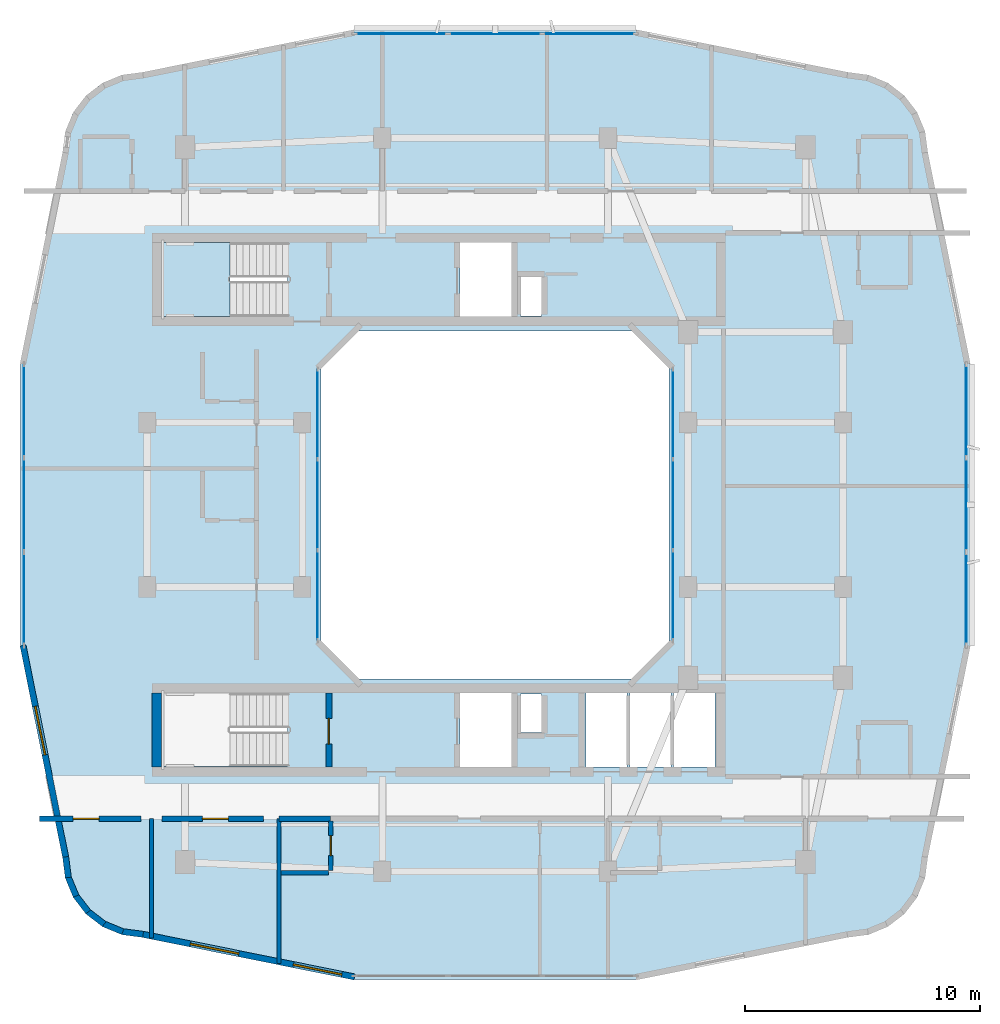
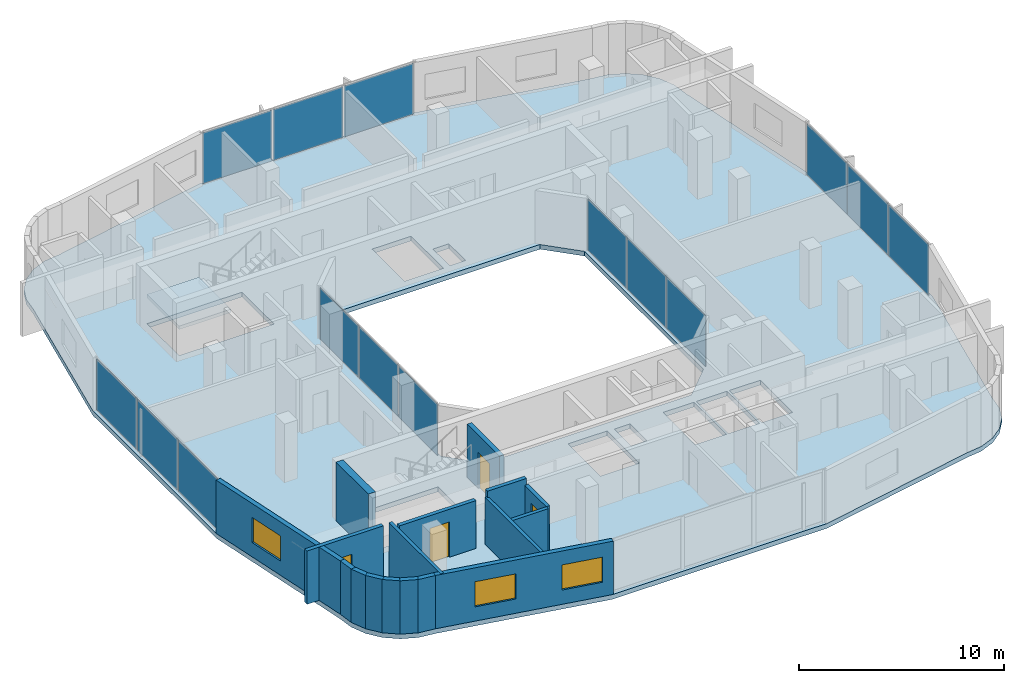
# One storey, part 6 of 14: 17 walls, 15 plates, 4 doors, 3 windows, 2 slabs, 7 openings, 6 elements without a shape of their own.
"""IFC4 building model written with IfcOpenShell, lengths in metres."""

from ifc_helpers import new_model, si_unit, derived_unit, direction, frame, frame_2d, origin, origin_2d, place, context, subcontext, project, spatial, polyline, rectangle, outline, extrude, material, layer, layer_set, type_object, element, fill, aggregate, save


model = new_model("IFC4")

# Units and contexts
model_context = context("Model", 3, precision=1e-05, world=origin(), true_north=direction((0.0, 1.0)))
body_context = subcontext(model_context, "Body", "Model", "MODEL_VIEW")
ifc_project = project(units=[si_unit("LENGTHUNIT", "METRE"), si_unit("AREAUNIT", "SQUARE_METRE"), si_unit("VOLUMEUNIT", "CUBIC_METRE"), si_unit("PLANEANGLEUNIT", "RADIAN"), si_unit("MASSUNIT", "GRAM", prefix="KILO"), derived_unit("THERMALTRANSMITTANCEUNIT", [(si_unit("POWERUNIT", "WATT"), 1), (si_unit("LENGTHUNIT", "METRE"), -2), (si_unit("THERMODYNAMICTEMPERATUREUNIT", "KELVIN"), -1)])], contexts=[model_context])

# Site, building, storey
site_placement = place(None, origin())
site = spatial("IfcSite", under=ifc_project, at=site_placement, CompositionType="ELEMENT")
building_placement = place(site_placement, origin())
building = spatial("IfcBuilding", under=site, at=building_placement, Name="Kivonza Crest Hotel", CompositionType="ELEMENT")
storey_placement = place(building_placement, frame((0.0, 0.0, 169.5)))
storey = spatial("IfcBuildingStorey", under=building, at=storey_placement, Name="L46", CompositionType="ELEMENT", Elevation=169.5)

# Curtain wall, plates
ifc_material_1 = material(Name="Anodised bronze aluminium and low-E double glazing", Category="aluminium")
ifc_layer_1 = layer(ifc_material_1, 0.159912109375)
ifc_layer_set_1 = layer_set([ifc_layer_1], Name="Anodised bronze aluminium and low-E double glazing")
curtain_wall_type_1 = type_object("IfcCurtainWallType", Name="CW-SYS-5", PredefinedType="NOTDEFINED", material=ifc_layer_set_1)
curtain_wall_1_placement = place(storey_placement, origin())
curtain_wall_1 = element("IfcCurtainWall", 1, at=curtain_wall_1_placement, inside=storey, type_object=curtain_wall_type_1, Name="L46 unitised curtain wall CW-WELL-T1-L46-3", PredefinedType="NOTDEFINED")
ifc_material_2 = material(Name="Solar-control low-E double glazing", Category="glass")
ifc_layer_2 = layer(ifc_material_2, 0.028076171875)
ifc_layer_set_2 = layer_set([ifc_layer_2], Name="Solar-control low-E double glazing")
plate_type_1 = type_object("IfcPlateType", Name="CW-PNL-28", PredefinedType="CURTAIN_PANEL", material=ifc_layer_set_2)
plate_1_placement = place(storey_placement, frame((28.56005859375, 21.149658203125, 0.06494140625), z_axis=(0.0, 0.0, 1.0), x_axis=(0.0, 1.0, 0.0)))
plate_1 = element("IfcPlate", 2, at=plate_1_placement, type_object=plate_type_1, Name="CW-5 panel 1.1", PredefinedType="CURTAIN_PANEL", context=body_context, shape_type="SweptSolid", body=[
    extrude(rectangle(XDim=3.769287109375, YDim=0.028076171875, at=origin_2d()), origin(), (0.0, 0.0, 1.0), 3.050048828125),
])
plate_2_placement = place(storey_placement, frame((28.56005859375, 25.0, 0.06494140625), z_axis=(0.0, 0.0, 1.0), x_axis=(0.0, 1.0, 0.0)))
plate_2 = element("IfcPlate", 3, at=plate_2_placement, type_object=plate_type_1, Name="CW-5 panel 2.1", PredefinedType="CURTAIN_PANEL", context=body_context, shape_type="SweptSolid", body=[
    extrude(rectangle(XDim=3.8017578125, YDim=0.028076171875, at=origin_2d()), origin(), (0.0, 0.0, 1.0), 3.050048828125),
])
plate_3_placement = place(storey_placement, frame((28.56005859375, 28.850341796875, 0.06494140625), z_axis=(0.0, 0.0, 1.0), x_axis=(0.0, 1.0, 0.0)))
plate_3 = element("IfcPlate", 4, at=plate_3_placement, type_object=plate_type_1, Name="CW-5 panel 3.1", PredefinedType="CURTAIN_PANEL", context=body_context, shape_type="SweptSolid", body=[
    extrude(rectangle(XDim=3.769287109375, YDim=0.028076171875, at=origin_2d()), origin(), (0.0, 0.0, 1.0), 3.050048828125),
])
aggregate(curtain_wall_1, [plate_1, plate_2, plate_3])

curtain_wall_2_placement = place(storey_placement, origin())
curtain_wall_2 = element("IfcCurtainWall", 5, at=curtain_wall_2_placement, inside=storey, type_object=curtain_wall_type_1, Name="L46 unitised curtain wall CW-WELL-T1-L46-7", PredefinedType="NOTDEFINED")
plate_4_placement = place(storey_placement, frame((13.43994140625, 28.850341796875, 0.06494140625), z_axis=(0.0, 0.0, 1.0), x_axis=(0.0, -1.0, 0.0)))
plate_4 = element("IfcPlate", 6, at=plate_4_placement, type_object=plate_type_1, Name="CW-5 panel 1.1", PredefinedType="CURTAIN_PANEL", context=body_context, shape_type="SweptSolid", body=[
    extrude(rectangle(XDim=3.769287109375, YDim=0.028076171875, at=origin_2d()), origin(), (0.0, 0.0, 1.0), 3.050048828125),
])
plate_5_placement = place(storey_placement, frame((13.43994140625, 25.0, 0.06494140625), z_axis=(0.0, 0.0, 1.0), x_axis=(0.0, -1.0, 0.0)))
plate_5 = element("IfcPlate", 7, at=plate_5_placement, type_object=plate_type_1, Name="CW-5 panel 2.1", PredefinedType="CURTAIN_PANEL", context=body_context, shape_type="SweptSolid", body=[
    extrude(rectangle(XDim=3.8017578125, YDim=0.028076171875, at=origin_2d()), origin(), (0.0, 0.0, 1.0), 3.050048828125),
])
plate_6_placement = place(storey_placement, frame((13.43994140625, 21.149658203125, 0.06494140625), z_axis=(0.0, 0.0, 1.0), x_axis=(0.0, -1.0, 0.0)))
plate_6 = element("IfcPlate", 8, at=plate_6_placement, type_object=plate_type_1, Name="CW-5 panel 3.1", PredefinedType="CURTAIN_PANEL", context=body_context, shape_type="SweptSolid", body=[
    extrude(rectangle(XDim=3.769287109375, YDim=0.028076171875, at=origin_2d()), origin(), (0.0, 0.0, 1.0), 3.050048828125),
])
aggregate(curtain_wall_2, [plate_4, plate_5, plate_6])

ifc_layer_3 = layer(ifc_material_1, 0.179931640625)
ifc_layer_set_3 = layer_set([ifc_layer_3], Name="Anodised bronze aluminium and low-E double glazing")
curtain_wall_type_2 = type_object("IfcCurtainWallType", Name="CW-SYS-3", PredefinedType="NOTDEFINED", material=ifc_layer_set_3)
curtain_wall_3_placement = place(storey_placement, origin())
curtain_wall_3 = element("IfcCurtainWall", 9, at=curtain_wall_3_placement, inside=storey, type_object=curtain_wall_type_2, Name="L46 unitised curtain wall CW-T1-L46-17", PredefinedType="NOTDEFINED")
ifc_material_3 = material(Name="Acoustic triple-laminated low-E glazing", Category="glass")
ifc_layer_4 = layer(ifc_material_3, 0.035888671875)
ifc_layer_set_4 = layer_set([ifc_layer_4], Name="Acoustic triple-laminated low-E glazing")
plate_type_2 = type_object("IfcPlateType", Name="CW-PNL-36", PredefinedType="CURTAIN_PANEL", material=ifc_layer_set_4)
plate_7_placement = place(storey_placement, frame((41.0400390625, 21.00537109375, 0.0751953125), z_axis=(0.0, 0.0, 1.0), x_axis=(0.0, 1.0, 0.0)))
plate_7 = element("IfcPlate", 10, at=plate_7_placement, type_object=plate_type_2, Name="CW-3 panel 1.1", PredefinedType="CURTAIN_PANEL", context=body_context, shape_type="SweptSolid", body=[
    extrude(rectangle(XDim=3.90087890625, YDim=0.035888671875, at=origin_2d()), origin(), (0.0, 0.0, 1.0), 3.030029296875),
])
plate_8_placement = place(storey_placement, frame((41.0400390625, 25.0, 0.0751953125), z_axis=(0.0, 0.0, 1.0), x_axis=(0.0, 1.0, 0.0)))
plate_8 = element("IfcPlate", 11, at=plate_8_placement, type_object=plate_type_2, Name="CW-3 panel 2.1", PredefinedType="CURTAIN_PANEL", context=body_context, shape_type="SweptSolid", body=[
    extrude(rectangle(XDim=3.938232421875, YDim=0.035888671875, at=origin_2d()), origin(), (0.0, 0.0, 1.0), 3.030029296875),
])
plate_9_placement = place(storey_placement, frame((41.0400390625, 28.99462890625, 0.0751953125), z_axis=(0.0, 0.0, 1.0), x_axis=(0.0, 1.0, 0.0)))
plate_9 = element("IfcPlate", 12, at=plate_9_placement, type_object=plate_type_2, Name="CW-3 panel 3.1", PredefinedType="CURTAIN_PANEL", context=body_context, shape_type="SweptSolid", body=[
    extrude(rectangle(XDim=3.90087890625, YDim=0.035888671875, at=origin_2d()), origin(), (0.0, 0.0, 1.0), 3.030029296875),
])
aggregate(curtain_wall_3, [plate_7, plate_8, plate_9])

curtain_wall_4_placement = place(storey_placement, origin())
curtain_wall_4 = element("IfcCurtainWall", 13, at=curtain_wall_4_placement, inside=storey, type_object=curtain_wall_type_2, Name="L46 unitised curtain wall CW-T1-L46-26", PredefinedType="NOTDEFINED")
plate_10_placement = place(storey_placement, frame((24.99462890625, 45.0400390625, 0.0751953125), z_axis=(0.0, 0.0, 1.0), x_axis=(-1.0, 0.0, 0.0)))
plate_10 = element("IfcPlate", 14, at=plate_10_placement, type_object=plate_type_2, Name="CW-3 panel 1.1", PredefinedType="CURTAIN_PANEL", context=body_context, shape_type="SweptSolid", body=[
    extrude(rectangle(XDim=3.90087890625, YDim=0.035888671875, at=origin_2d()), origin(), (0.0, 0.0, 1.0), 3.030029296875),
])
plate_11_placement = place(storey_placement, frame((21.0, 45.0400390625, 0.0751953125), z_axis=(0.0, 0.0, 1.0), x_axis=(-1.0, 0.0, 0.0)))
plate_11 = element("IfcPlate", 15, at=plate_11_placement, type_object=plate_type_2, Name="CW-3 panel 2.1", PredefinedType="CURTAIN_PANEL", context=body_context, shape_type="SweptSolid", body=[
    extrude(rectangle(XDim=3.938232421875, YDim=0.035888671875, at=origin_2d()), origin(), (0.0, 0.0, 1.0), 3.030029296875),
])
plate_12_placement = place(storey_placement, frame((17.00537109375, 45.0400390625, 0.0751953125), z_axis=(0.0, 0.0, 1.0), x_axis=(-1.0, 0.0, 0.0)))
plate_12 = element("IfcPlate", 16, at=plate_12_placement, type_object=plate_type_2, Name="CW-3 panel 3.1", PredefinedType="CURTAIN_PANEL", context=body_context, shape_type="SweptSolid", body=[
    extrude(rectangle(XDim=3.90087890625, YDim=0.035888671875, at=origin_2d()), origin(), (0.0, 0.0, 1.0), 3.030029296875),
])
aggregate(curtain_wall_4, [plate_10, plate_11, plate_12])

curtain_wall_5_placement = place(storey_placement, origin())
curtain_wall_5 = element("IfcCurtainWall", 17, at=curtain_wall_5_placement, inside=storey, type_object=curtain_wall_type_2, Name="L46 unitised curtain wall CW-T1-L46-35", PredefinedType="NOTDEFINED")
plate_13_placement = place(storey_placement, frame((0.9599609375, 28.99462890625, 0.0751953125), z_axis=(0.0, 0.0, 1.0), x_axis=(0.0, -1.0, 0.0)))
plate_13 = element("IfcPlate", 18, at=plate_13_placement, type_object=plate_type_2, Name="CW-3 panel 1.1", PredefinedType="CURTAIN_PANEL", context=body_context, shape_type="SweptSolid", body=[
    extrude(rectangle(XDim=3.90087890625, YDim=0.035888671875, at=origin_2d()), origin(), (0.0, 0.0, 1.0), 3.030029296875),
])
plate_14_placement = place(storey_placement, frame((0.9599609375, 25.0, 0.0751953125), z_axis=(0.0, 0.0, 1.0), x_axis=(0.0, -1.0, 0.0)))
plate_14 = element("IfcPlate", 19, at=plate_14_placement, type_object=plate_type_2, Name="CW-3 panel 2.1", PredefinedType="CURTAIN_PANEL", context=body_context, shape_type="SweptSolid", body=[
    extrude(rectangle(XDim=3.938232421875, YDim=0.035888671875, at=origin_2d()), origin(), (0.0, 0.0, 1.0), 3.030029296875),
])
plate_15_placement = place(storey_placement, frame((0.9599609375, 21.00537109375, 0.0751953125), z_axis=(0.0, 0.0, 1.0), x_axis=(0.0, -1.0, 0.0)))
plate_15 = element("IfcPlate", 20, at=plate_15_placement, type_object=plate_type_2, Name="CW-3 panel 3.1", PredefinedType="CURTAIN_PANEL", context=body_context, shape_type="SweptSolid", body=[
    extrude(rectangle(XDim=3.90087890625, YDim=0.035888671875, at=origin_2d()), origin(), (0.0, 0.0, 1.0), 3.030029296875),
])
aggregate(curtain_wall_5, [plate_13, plate_14, plate_15])

# Slab
ifc_material_4 = material(Name="Concrete C40/50", Category="concrete")
ifc_layer_5 = layer(ifc_material_4, 0.280029296875)
ifc_layer_set_5 = layer_set([ifc_layer_5], Name="Concrete C40/50")
slab_type_1 = type_object("IfcSlabType", Name="SL-HTL-280", PredefinedType="FLOOR", material=ifc_layer_set_5)
slab_1_placement = place(storey_placement, frame((0.0, 0.0, -0.280029296875)))
element("IfcSlab", 21, at=slab_1_placement, inside=storey, type_object=slab_type_1, Name="Tower T1 L46 floor slab", PredefinedType="FLOOR", context=body_context, shape_type="SweptSolid", body=[
    extrude(outline(polyline([(2.60009765625, 10.0), (2.716064453125, 9.1201171875), (3.055908203125, 8.300048828125), (3.595947265625, 7.595947265625), (4.300048828125, 7.055908203125), (5.1201171875, 6.716064453125), (6.0, 6.60009765625), (14.93994140625, 4.800048828125), (27.06005859375, 4.800048828125), (36.0, 6.60009765625), (36.8798828125, 6.716064453125), (37.699951171875, 7.055908203125), (38.404052734375, 7.595947265625), (38.944091796875, 8.300048828125), (39.283935546875, 9.1201171875), (39.39990234375, 10.0), (41.199951171875, 18.93994140625), (41.199951171875, 31.06005859375), (39.39990234375, 40.0), (39.283935546875, 40.8798828125), (38.944091796875, 41.699951171875), (38.404052734375, 42.404052734375), (37.699951171875, 42.944091796875), (36.8798828125, 43.283935546875), (36.0, 43.39990234375), (27.06005859375, 45.199951171875), (14.93994140625, 45.199951171875), (6.0, 43.39990234375), (5.1201171875, 43.283935546875), (4.300048828125, 42.944091796875), (3.595947265625, 42.404052734375), (3.055908203125, 41.699951171875), (2.716064453125, 40.8798828125), (2.60009765625, 40.0), (0.800048828125, 31.06005859375), (0.800048828125, 18.93994140625), (2.60009765625, 10.0)]), holes=[polyline([(15.199951171875, 17.60009765625), (26.800048828125, 17.60009765625), (28.39990234375, 19.199951171875), (28.39990234375, 30.800048828125), (26.800048828125, 32.39990234375), (15.199951171875, 32.39990234375), (13.60009765625, 30.800048828125), (13.60009765625, 19.199951171875), (15.199951171875, 17.60009765625)]), polyline([(6.800048828125, 33.02001953125), (12.159912109375, 33.02001953125), (12.159912109375, 36.159912109375), (6.800048828125, 36.159912109375), (6.800048828125, 33.02001953125)]), polyline([(6.800048828125, 13.860107421875), (12.159912109375, 13.860107421875), (12.159912109375, 17.0), (6.800048828125, 17.0), (6.800048828125, 13.860107421875)]), polyline([(22.080078125, 33.0400390625), (22.969970703125, 33.0400390625), (22.969970703125, 34.679931640625), (22.080078125, 34.679931640625), (22.080078125, 33.0400390625)]), polyline([(22.080078125, 15.320068359375), (22.969970703125, 15.320068359375), (22.969970703125, 16.9599609375), (22.080078125, 16.9599609375), (22.080078125, 15.320068359375)]), polyline([(19.5, 33.0), (21.699951171875, 33.0), (21.699951171875, 36.159912109375), (19.5, 36.159912109375), (19.5, 33.0)]), polyline([(19.5, 13.840087890625), (21.699951171875, 13.840087890625), (21.699951171875, 17.0), (19.5, 17.0), (19.5, 13.840087890625)]), polyline([(24.860107421875, 13.840087890625), (26.60693359375, 13.840087890625), (26.60693359375, 17.0), (24.860107421875, 17.0), (24.860107421875, 13.840087890625)]), polyline([(26.72705078125, 13.840087890625), (28.472900390625, 13.840087890625), (28.472900390625, 17.0), (26.72705078125, 17.0), (26.72705078125, 13.840087890625)]), polyline([(28.593017578125, 13.840087890625), (30.340087890625, 13.840087890625), (30.340087890625, 17.0), (28.593017578125, 17.0), (28.593017578125, 13.840087890625)])]), origin(), (0.0, 0.0, 1.0), 0.280029296875),
])

# Stair, slab
stair_type = type_object("IfcStairType", Name="ST-DL-20R", PredefinedType="HALF_TURN_STAIR", material=ifc_material_4)
stair_placement = place(storey_placement, origin())
stair = element("IfcStair", 22, at=stair_placement, inside=storey, type_object=stair_type, Name="L46 Protected Exit Stair ST-T1-N", PredefinedType="HALF_TURN_STAIR")
ifc_layer_6 = layer(ifc_material_4, 0.199951171875)
ifc_layer_set_6 = layer_set([ifc_layer_6], Name="Concrete C40/50")
slab_type_2 = type_object("IfcSlabType", Name="SL-LAND-200", PredefinedType="LANDING", material=ifc_layer_set_6)
slab_2_placement = place(storey_placement, frame((0.0, 0.0, 1.550048828125)))
slab_2 = element("IfcSlab", 23, at=slab_2_placement, type_object=slab_type_2, Name="ST-T1-N landing 1", PredefinedType="LANDING", context=body_context, shape_type="SweptSolid", body=[
    extrude(outline(polyline([(9.719970703125, 36.159912109375), (6.800048828125, 36.159912109375), (6.800048828125, 33.02001953125), (9.719970703125, 33.02001953125), (9.719970703125, 36.159912109375)])), origin(), (0.0, 0.0, 1.0), 0.199951171875),
])
aggregate(stair, [slab_2])

# Walls
ifc_material_5 = material(Name="High-density acoustic masonry inter-tenancy wall", Category="masonry")
ifc_layer_7 = layer(ifc_material_5, 0.179931640625)
ifc_layer_set_7 = layer_set([ifc_layer_7], Name="High-density acoustic masonry inter-tenancy wall")
wall_type_1 = type_object("IfcWallType", Name="WL-ACOU-180", PredefinedType="SOLIDWALL", material=ifc_layer_set_7)
wall_1_placement = place(storey_placement, frame((6.3798828125, 6.5849609375, 0.0), z_axis=(0.0, 0.0, 1.0), x_axis=(0.0, 1.0, 0.0)))
element("IfcWall", 24, at=wall_1_placement, inside=storey, type_object=wall_type_1, Name="L46 interior partition WA-L46-T1S-SPDIV", PredefinedType="SOLIDWALL", context=body_context, shape_type="SweptSolid", body=[
    extrude(rectangle(XDim=5.06494140625, YDim=0.179931640625, at=frame_2d((2.532470703125, 0.0))), origin(), (0.0, 0.0, 1.0), 3.179931640625),
])
wall_2_placement = place(storey_placement, frame((11.800048828125, 5.492919921875, 0.0), z_axis=(0.0, 0.0, 1.0), x_axis=(0.0, 1.0, 0.0)))
element("IfcWall", 25, at=wall_2_placement, inside=storey, type_object=wall_type_1, Name="L46 interior partition WA-L46-T1S-DIV1", PredefinedType="SOLIDWALL", context=body_context, shape_type="SweptSolid", body=[
    extrude(rectangle(XDim=6.156982421875, YDim=0.179931640625, at=frame_2d((3.07861328125, 0.0))), origin(), (0.0, 0.0, 1.0), 2.794921875),
])

# Wall, opening, door
ifc_material_6 = material(Name="Autoclaved aerated concrete blockwork", Category="masonry")
ifc_layer_8 = layer(ifc_material_6, 0.219970703125)
ifc_layer_set_8 = layer_set([ifc_layer_8], Name="Autoclaved aerated concrete blockwork")
wall_type_2 = type_object("IfcWallType", Name="WL-ACOU-220", PredefinedType="SOLIDWALL", material=ifc_layer_set_8)
wall_3_placement = place(storey_placement, frame((1.610107421875, 11.64990234375, 0.0), z_axis=(0.0, 0.0, 1.0), x_axis=(1.0, 0.0, 0.0)))
wall_3 = element("IfcWall", 26, at=wall_3_placement, inside=storey, type_object=wall_type_2, Name="L46 interior partition WA-L46-Z2-OFF1-N", PredefinedType="SOLIDWALL", context=body_context, shape_type="SweptSolid", body=[
    extrude(rectangle(XDim=4.31982421875, YDim=0.219970703125, at=frame_2d((2.159912109375, 0.0))), origin(), (0.0, 0.0, 1.0), 3.179931640625),
])
opening_1_placement = place(wall_3_placement, frame((1.43896484375, 0.0, 0.0)))
opening_1 = element("IfcOpeningElement", 27, at=opening_1_placement, cuts=wall_3, Name="Opening DF-60M", PredefinedType="OPENING", context=body_context, shape_type="SweptSolid", body=[
    extrude(rectangle(XDim=1.10009765625, YDim=2.10009765625, at=frame_2d((0.550048828125, 1.050048828125))), frame((0.0, 0.1201171875, 0.0), z_axis=(0.0, -1.0, 0.0), x_axis=(1.0, 0.0, 0.0)), (0.0, 0.0, 1.0), 0.239990234375),
])
ifc_material_7 = material(Name="Hardwood timber oak", Category="wood")
door_type_1 = type_object("IfcDoorType", Name="DR-FD60-1100", OperationType="NOTDEFINED", PredefinedType="DOOR", material=ifc_material_7)
door_1_placement = place(opening_1_placement, frame((1.10009765625, 0.0, 0.0), z_axis=(0.0, 0.0, 1.0), x_axis=(-1.0, 0.0, 0.0)))
door_1 = element("IfcDoor", 28, at=door_1_placement, inside=storey, type_object=door_type_1, Name="L46 High-Rise Conference Office door", OperationType="SINGLE_SWING_RIGHT", OverallHeight=2.10009765625, OverallWidth=1.10009765625, PredefinedType="DOOR", context=body_context, shape_type="SweptSolid", body=[
    extrude(rectangle(XDim=1.10009765625, YDim=2.10009765625, at=frame_2d((0.550048828125, 1.050048828125))), frame((0.0, 0.02490234375, 0.0), z_axis=(0.0, -1.0, 0.0), x_axis=(1.0, 0.0, 0.0)), (0.0, 0.0, 1.0), 0.050048828125),
])
fill(opening_1, door_1)

wall_4_placement = place(storey_placement, frame((6.830078125, 11.64990234375, 0.0), z_axis=(0.0, 0.0, 1.0), x_axis=(1.0, 0.0, 0.0)))
wall_4 = element("IfcWall", 29, at=wall_4_placement, inside=storey, type_object=wall_type_2, Name="L46 interior partition WA-L46-Z2-OFF2-N", PredefinedType="SOLIDWALL", context=body_context, shape_type="SweptSolid", body=[
    extrude(rectangle(XDim=4.31982421875, YDim=0.219970703125, at=frame_2d((2.159912109375, 0.0))), origin(), (0.0, 0.0, 1.0), 2.85498046875),
])
opening_2_placement = place(wall_4_placement, frame((1.718994140625, 0.0, 0.0)))
opening_2 = element("IfcOpeningElement", 30, at=opening_2_placement, cuts=wall_4, Name="Opening DF-60M", PredefinedType="OPENING", context=body_context, shape_type="SweptSolid", body=[
    extrude(rectangle(XDim=1.10009765625, YDim=2.10009765625, at=frame_2d((0.550048828125, 1.050048828125))), frame((0.0, 0.1201171875, 0.0), z_axis=(0.0, -1.0, 0.0), x_axis=(1.0, 0.0, 0.0)), (0.0, 0.0, 1.0), 0.239990234375),
])
door_2_placement = place(opening_2_placement, frame((1.10009765625, 0.0, 0.0), z_axis=(0.0, 0.0, 1.0), x_axis=(-1.0, 0.0, 0.0)))
door_2 = element("IfcDoor", 31, at=door_2_placement, inside=storey, type_object=door_type_1, Name="L46 High-Rise Secretarial Office door", OperationType="SINGLE_SWING_LEFT", OverallHeight=2.10009765625, OverallWidth=1.10009765625, PredefinedType="DOOR", context=body_context, shape_type="SweptSolid", body=[
    extrude(rectangle(XDim=1.10009765625, YDim=2.10009765625, at=frame_2d((0.550048828125, 1.050048828125))), frame((0.0, 0.02490234375, 0.0), z_axis=(0.0, -1.0, 0.0), x_axis=(1.0, 0.0, 0.0)), (0.0, 0.0, 1.0), 0.050048828125),
])
fill(opening_2, door_2)

# Walls
wall_5_placement = place(storey_placement, frame((11.800048828125, 11.64990234375, 0.0), z_axis=(0.0, 0.0, 1.0), x_axis=(1.0, 0.0, 0.0)))
element("IfcWall", 32, at=wall_5_placement, inside=storey, type_object=wall_type_2, Name="L46 interior partition WA-L46-S03-BCORR", PredefinedType="SOLIDWALL", context=body_context, shape_type="SweptSolid", body=[
    extrude(rectangle(XDim=2.199951171875, YDim=0.219970703125, at=frame_2d((1.10009765625, 0.0))), origin(), (0.0, 0.0, 1.0), 3.179931640625),
])
ifc_material_8 = material(Name="Concrete C50/60", Category="concrete")
ifc_layer_9 = layer(ifc_material_8, 0.39990234375)
ifc_layer_set_9 = layer_set([ifc_layer_9], Name="Concrete C50/60")
wall_type_3 = type_object("IfcWallType", Name="WL-CORE-400", PredefinedType="SHEAR", material=ifc_layer_set_9)
wall_6_placement = place(storey_placement, frame((6.60009765625, 13.840087890625, 0.0), z_axis=(0.0, 0.0, 1.0), x_axis=(0.0, 1.0, 0.0)))
element("IfcWall", 33, at=wall_6_placement, inside=storey, type_object=wall_type_3, Name="Core wall T1-S West L46", PredefinedType="SHEAR", context=body_context, shape_type="SweptSolid", body=[
    extrude(rectangle(XDim=3.159912109375, YDim=0.39990234375, at=frame_2d((1.580078125, 0.0))), origin(), (0.0, 0.0, 1.0), 3.5),
])
ifc_material_9 = material(Name="Precast concrete C40/50", Category="concrete")
ifc_layer_10 = layer(ifc_material_9, 0.260009765625)
ifc_layer_set_10 = layer_set([ifc_layer_10], Name="Precast concrete C40/50")
wall_type_4 = type_object("IfcWallType", Name="WL-EXT-260", PredefinedType="STANDARD", material=ifc_layer_set_10)
wall_7_placement = place(storey_placement, frame((2.72802734375, 10.02490234375, 0.0), z_axis=(0.0, 0.0, 1.0), x_axis=(0.130953706898, -0.991388484223, 0.0)))
element("IfcWall", 34, at=wall_7_placement, inside=storey, type_object=wall_type_4, Name="L46 T1 exterior insulated wall 1", PredefinedType="STANDARD", context=body_context, shape_type="SweptSolid", body=[
    extrude(rectangle(XDim=0.885498046875, YDim=0.260009765625, at=frame_2d((0.44287109375, 0.0))), origin(), (0.0, 0.0, 1.0), 3.179931640625),
])
wall_8_placement = place(storey_placement, frame((2.825927734375, 9.193115234375, 0.0), z_axis=(0.0, 0.0, 1.0), x_axis=(0.383290660547, -0.923627776508, 0.0)))
element("IfcWall", 35, at=wall_8_placement, inside=storey, type_object=wall_type_4, Name="L46 T1 exterior insulated wall 2", PredefinedType="STANDARD", context=body_context, shape_type="SweptSolid", body=[
    extrude(rectangle(XDim=0.9033203125, YDim=0.260009765625, at=frame_2d((0.45166015625, 0.0))), origin(), (0.0, 0.0, 1.0), 3.179931640625),
])
wall_9_placement = place(storey_placement, frame((3.14404296875, 8.39892578125, 0.0), z_axis=(0.0, 0.0, 1.0), x_axis=(0.608624690463, -0.793458244748, 0.0)))
element("IfcWall", 36, at=wall_9_placement, inside=storey, type_object=wall_type_4, Name="L46 T1 exterior insulated wall 3", PredefinedType="STANDARD", context=body_context, shape_type="SweptSolid", body=[
    extrude(rectangle(XDim=0.902099609375, YDim=0.260009765625, at=frame_2d((0.451171875, 0.0))), origin(), (0.0, 0.0, 1.0), 3.179931640625),
])
wall_10_placement = place(storey_placement, frame((3.655029296875, 7.714111328125, 0.0), z_axis=(0.0, 0.0, 1.0), x_axis=(0.793558456666, -0.608494022858, 0.0)))
element("IfcWall", 37, at=wall_10_placement, inside=storey, type_object=wall_type_4, Name="L46 T1 exterior insulated wall 4", PredefinedType="STANDARD", context=body_context, shape_type="SweptSolid", body=[
    extrude(rectangle(XDim=0.90234375, YDim=0.260009765625, at=frame_2d((0.451171875, 0.0))), origin(), (0.0, 0.0, 1.0), 3.179931640625),
])
wall_11_placement = place(storey_placement, frame((4.326904296875, 7.18603515625, 0.0), z_axis=(0.0, 0.0, 1.0), x_axis=(0.923683767999, -0.383155708213, 0.0)))
element("IfcWall", 38, at=wall_11_placement, inside=storey, type_object=wall_type_4, Name="L46 T1 exterior insulated wall 5", PredefinedType="STANDARD", context=body_context, shape_type="SweptSolid", body=[
    extrude(rectangle(XDim=0.90283203125, YDim=0.260009765625, at=frame_2d((0.451416015625, 0.0))), origin(), (0.0, 0.0, 1.0), 3.179931640625),
])
wall_12_placement = place(storey_placement, frame((5.112060546875, 6.847900390625, 0.0), z_axis=(0.0, 0.0, 1.0), x_axis=(0.991487658083, -0.130200706103, 0.0)))
element("IfcWall", 39, at=wall_12_placement, inside=storey, type_object=wall_type_4, Name="L46 T1 exterior insulated wall 6", PredefinedType="STANDARD", context=body_context, shape_type="SweptSolid", body=[
    extrude(rectangle(XDim=0.920654296875, YDim=0.260009765625, at=frame_2d((0.46044921875, 0.0))), origin(), (0.0, 0.0, 1.0), 3.179931640625),
])

# Wall, openings, windows
wall_13_placement = place(storey_placement, frame((6.01806640625, 6.72900390625, 0.0), z_axis=(0.0, 0.0, 1.0), x_axis=(0.980315963543, -0.197435082048, 0.0)))
wall_13 = element("IfcWall", 40, at=wall_13_placement, inside=storey, type_object=wall_type_4, Name="L46 T1 exterior insulated wall 7", PredefinedType="STANDARD", context=body_context, shape_type="SweptSolid", body=[
    extrude(rectangle(XDim=9.1826171875, YDim=0.260009765625, at=frame_2d((4.59130859375, 0.0))), origin(), (0.0, 0.0, 1.0), 3.179931640625),
])
opening_3_placement = place(wall_13_placement, frame((2.05810546875, 0.0, 0.85009765625)))
opening_3 = element("IfcOpeningElement", 41, at=opening_3_placement, cuts=wall_13, Name="Opening WN-04", PredefinedType="OPENING", context=body_context, shape_type="SweptSolid", body=[
    extrude(rectangle(XDim=2.10009765625, YDim=1.5, at=frame_2d((1.050048828125, 0.75))), frame((0.0, 0.14013671875, 0.0), z_axis=(0.0, -1.0, 0.0), x_axis=(1.0, 0.0, 0.0)), (0.0, 0.0, 1.0), 0.280029296875),
])
opening_4_placement = place(wall_13_placement, frame((6.527099609375, 0.0, 0.85009765625)))
opening_4 = element("IfcOpeningElement", 42, at=opening_4_placement, cuts=wall_13, Name="Opening WN-04", PredefinedType="OPENING", context=body_context, shape_type="SweptSolid", body=[
    extrude(rectangle(XDim=2.10009765625, YDim=1.5, at=frame_2d((1.050048828125, 0.75))), frame((0.0, 0.14013671875, 0.0), z_axis=(0.0, -1.0, 0.0), x_axis=(1.0, 0.0, 0.0)), (0.0, 0.0, 1.0), 0.280029296875),
])
ifc_material_10 = material(Name="Thermally broken bronze aluminium and low-E double glazing", Category="aluminium")
window_type = type_object("IfcWindowType", Name="WN-210x150", PartitioningType="DOUBLE_PANEL_VERTICAL", PredefinedType="WINDOW", material=ifc_material_10)
window_1_placement = place(opening_3_placement, origin())
window_1 = element("IfcWindow", 43, at=window_1_placement, inside=storey, type_object=window_type, Name="L46 T1 facade window 7 bay 1", OverallHeight=1.5, OverallWidth=2.10009765625, PartitioningType="SINGLE_PANEL", PredefinedType="WINDOW", context=body_context, shape_type="SweptSolid", body=[
    extrude(rectangle(XDim=2.10009765625, YDim=1.5, at=frame_2d((1.050048828125, 0.75))), frame((0.0, 0.030029296875, 0.0), z_axis=(0.0, -1.0, 0.0), x_axis=(1.0, 0.0, 0.0)), (0.0, 0.0, 1.0), 0.06005859375),
])
fill(opening_3, window_1)
window_2_placement = place(opening_4_placement, origin())
window_2 = element("IfcWindow", 44, at=window_2_placement, inside=storey, type_object=window_type, Name="L46 T1 facade window 7 bay 2", OverallHeight=1.5, OverallWidth=2.10009765625, PartitioningType="SINGLE_PANEL", PredefinedType="WINDOW", context=body_context, shape_type="SweptSolid", body=[
    extrude(rectangle(XDim=2.10009765625, YDim=1.5, at=frame_2d((1.050048828125, 0.75))), frame((0.0, 0.030029296875, 0.0), z_axis=(0.0, -1.0, 0.0), x_axis=(1.0, 0.0, 0.0)), (0.0, 0.0, 1.0), 0.06005859375),
])
fill(opening_4, window_2)

# Wall, opening, window
wall_14_placement = place(storey_placement, frame((0.916015625, 19.02001953125, 0.0), z_axis=(0.0, 0.0, 1.0), x_axis=(0.197435082048, -0.980315963543, 0.0)))
wall_14 = element("IfcWall", 45, at=wall_14_placement, inside=storey, type_object=wall_type_4, Name="L46 T1 exterior insulated wall 36", PredefinedType="STANDARD", context=body_context, shape_type="SweptSolid", body=[
    extrude(rectangle(XDim=9.1826171875, YDim=0.260009765625, at=frame_2d((4.59130859375, 0.0))), origin(), (0.0, 0.0, 1.0), 3.179931640625),
])
opening_5_placement = place(wall_14_placement, frame((2.64697265625, 0.0, 0.85009765625)))
opening_5 = element("IfcOpeningElement", 46, at=opening_5_placement, cuts=wall_14, Name="Opening WN-04", PredefinedType="OPENING", context=body_context, shape_type="SweptSolid", body=[
    extrude(rectangle(XDim=2.10009765625, YDim=1.5, at=frame_2d((1.050048828125, 0.75))), frame((0.0, 0.14013671875, 0.0), z_axis=(0.0, -1.0, 0.0), x_axis=(1.0, 0.0, 0.0)), (0.0, 0.0, 1.0), 0.280029296875),
])
window_3_placement = place(opening_5_placement, origin())
window_3 = element("IfcWindow", 47, at=window_3_placement, inside=storey, type_object=window_type, Name="L46 T1 facade window 36", OverallHeight=1.5, OverallWidth=2.10009765625, PartitioningType="SINGLE_PANEL", PredefinedType="WINDOW", context=body_context, shape_type="SweptSolid", body=[
    extrude(rectangle(XDim=2.10009765625, YDim=1.5, at=frame_2d((1.050048828125, 0.75))), frame((0.0, 0.030029296875, 0.0), z_axis=(0.0, -1.0, 0.0), x_axis=(1.0, 0.0, 0.0)), (0.0, 0.0, 1.0), 0.06005859375),
])
fill(opening_5, window_3)

# Wall, opening, door
ifc_material_11 = material(Name="Moisture-resistant plumbing chase partition wall", Category="gypsum")
ifc_layer_11 = layer(ifc_material_11, 0.199951171875)
ifc_layer_set_11 = layer_set([ifc_layer_11], Name="Moisture-resistant plumbing chase partition wall")
wall_type_5 = type_object("IfcWallType", Name="WL-PLUMB-200", PredefinedType="PLUMBINGWALL", material=ifc_layer_set_11)
wall_15_placement = place(storey_placement, frame((14.0, 9.449951171875, 0.0), z_axis=(0.0, 0.0, 1.0), x_axis=(0.0, 1.0, 0.0)))
wall_15 = element("IfcWall", 48, at=wall_15_placement, inside=storey, type_object=wall_type_5, Name="L46 interior partition WW-L46-S03-BV", PredefinedType="PLUMBINGWALL", context=body_context, shape_type="SweptSolid", body=[
    extrude(rectangle(XDim=2.10009765625, YDim=0.199951171875, at=frame_2d((1.050048828125, 0.0))), origin(), (0.0, 0.0, 1.0), 2.794921875),
])
opening_6_placement = place(wall_15_placement, frame((0.625, 0.0, 0.0)))
opening_6 = element("IfcOpeningElement", 49, at=opening_6_placement, cuts=wall_15, Name="Opening DI-85", PredefinedType="OPENING", context=body_context, shape_type="SweptSolid", body=[
    extrude(rectangle(XDim=0.85009765625, YDim=2.10009765625, at=frame_2d((0.425048828125, 1.050048828125))), frame((0.0, 0.10986328125, 0.0), z_axis=(0.0, -1.0, 0.0), x_axis=(1.0, 0.0, 0.0)), (0.0, 0.0, 1.0), 0.219970703125),
])
door_type_2 = type_object("IfcDoorType", Name="DR-INT-850", OperationType="NOTDEFINED", PredefinedType="DOOR", material=ifc_material_7)
door_3_placement = place(opening_6_placement, frame((0.85009765625, 0.0, 0.0), z_axis=(0.0, 0.0, 1.0), x_axis=(-1.0, 0.0, 0.0)))
door_3 = element("IfcDoor", 50, at=door_3_placement, inside=storey, type_object=door_type_2, Name="L46 S03 en-suite bathroom door", OperationType="SINGLE_SWING_RIGHT", OverallHeight=2.10009765625, OverallWidth=0.85009765625, PredefinedType="DOOR", context=body_context, shape_type="SweptSolid", body=[
    extrude(rectangle(XDim=0.85009765625, YDim=2.10009765625, at=frame_2d((0.425048828125, 1.050048828125))), frame((0.0, 0.02490234375, 0.0), z_axis=(0.0, -1.0, 0.0), x_axis=(1.0, 0.0, 0.0)), (0.0, 0.0, 1.0), 0.050048828125),
])
fill(opening_6, door_3)

# Wall
wall_16_placement = place(storey_placement, frame((11.89990234375, 9.35009765625, 0.0), z_axis=(0.0, 0.0, 1.0), x_axis=(1.0, 0.0, 0.0)))
element("IfcWall", 51, at=wall_16_placement, inside=storey, type_object=wall_type_5, Name="L46 interior partition WW-L46-S03-BH", PredefinedType="PLUMBINGWALL", context=body_context, shape_type="SweptSolid", body=[
    extrude(rectangle(XDim=2.0, YDim=0.199951171875, at=frame_2d((1.0, 0.0))), origin(), (0.0, 0.0, 1.0), 2.794921875),
])

# Wall, opening, door
ifc_layer_12 = layer(ifc_material_8, 0.25)
ifc_layer_set_12 = layer_set([ifc_layer_12], Name="Concrete C50/60")
wall_type_6 = type_object("IfcWallType", Name="WL-SHAFT-250", PredefinedType="STANDARD", material=ifc_layer_set_12)
wall_17_placement = place(storey_placement, frame((13.925048828125, 13.840087890625, 0.0), z_axis=(0.0, 0.0, 1.0), x_axis=(0.0, 1.0, 0.0)))
wall_17 = element("IfcWall", 52, at=wall_17_placement, inside=storey, type_object=wall_type_6, Name="Core shaft wall T1-S STAIR L46", PredefinedType="STANDARD", context=body_context, shape_type="SweptSolid", body=[
    extrude(rectangle(XDim=3.159912109375, YDim=0.25, at=frame_2d((1.580078125, 0.0))), origin(), (0.0, 0.0, 1.0), 3.179931640625),
])
opening_7_placement = place(wall_17_placement, frame((0.97998046875, 0.0, 0.0)))
opening_7 = element("IfcOpeningElement", 53, at=opening_7_placement, cuts=wall_17, Name="Opening DF-120", PredefinedType="OPENING", context=body_context, shape_type="SweptSolid", body=[
    extrude(rectangle(XDim=1.10009765625, YDim=2.14990234375, at=frame_2d((0.550048828125, 1.074951171875))), frame((0.0, 0.135009765625, 0.0), z_axis=(0.0, -1.0, 0.0), x_axis=(1.0, 0.0, 0.0)), (0.0, 0.0, 1.0), 0.27001953125),
])
ifc_material_12 = material(Name="Galvanised steel", Category="steel")
door_type_3 = type_object("IfcDoorType", Name="DR-FD120-1100", OperationType="NOTDEFINED", PredefinedType="DOOR", material=ifc_material_12)
door_4_placement = place(opening_7_placement, frame((1.10009765625, 0.0, 0.0), z_axis=(0.0, 0.0, 1.0), x_axis=(-1.0, 0.0, 0.0)))
door_4 = element("IfcDoor", 54, at=door_4_placement, inside=storey, type_object=door_type_3, Name="L46 T1-S stair fire door", OperationType="SINGLE_SWING_RIGHT", OverallHeight=2.14990234375, OverallWidth=1.10009765625, PredefinedType="DOOR", context=body_context, shape_type="SweptSolid", body=[
    extrude(rectangle(XDim=1.10009765625, YDim=2.14990234375, at=frame_2d((0.550048828125, 1.074951171875))), frame((0.0, 0.02490234375, 0.0), z_axis=(0.0, -1.0, 0.0), x_axis=(1.0, 0.0, 0.0)), (0.0, 0.0, 1.0), 0.050048828125),
])
fill(opening_7, door_4)

save(model, "model.ifc")
